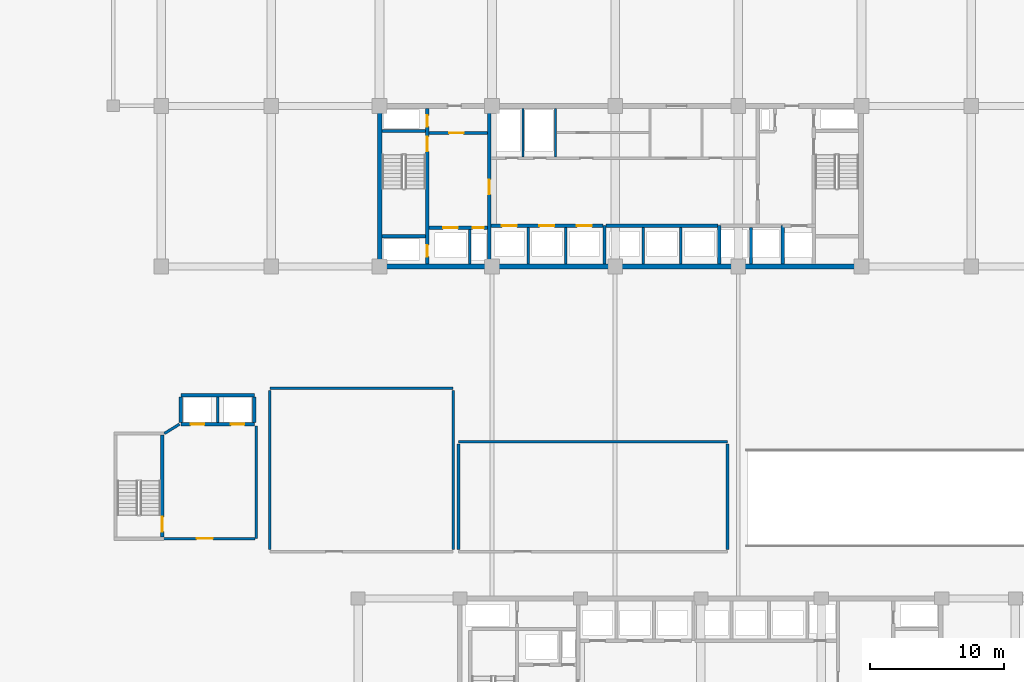
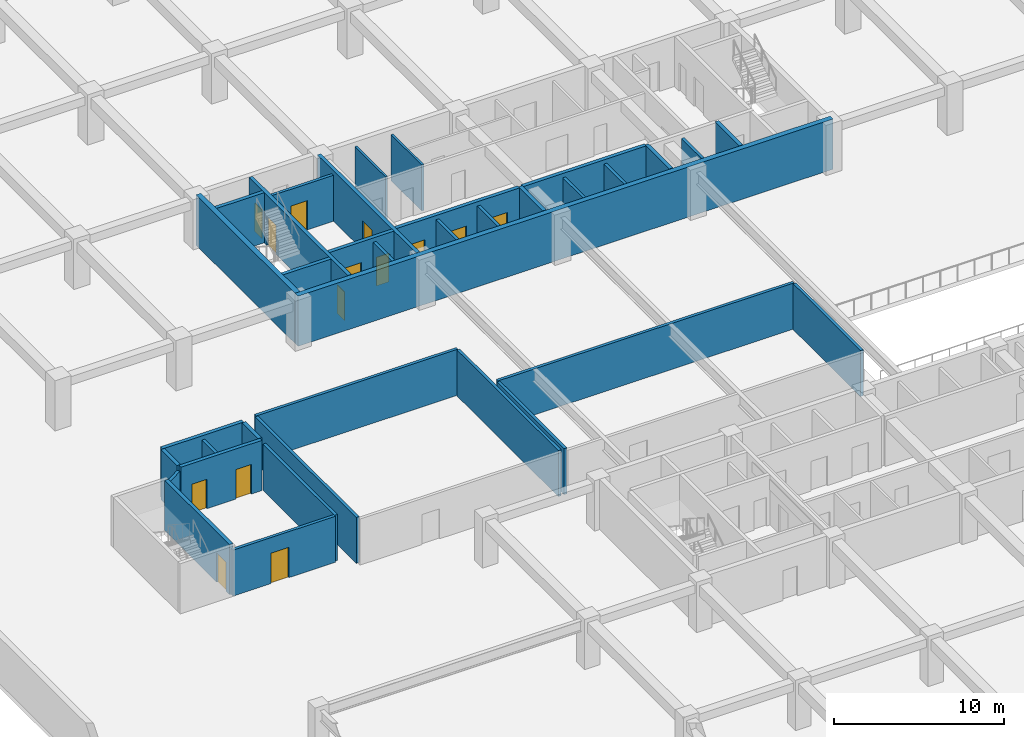
# One storey, part 9 of 23: 36 walls, 14 doors, 14 openings.
"""IFC4 building model written with IfcOpenShell, lengths in metres."""

from ifc_helpers import new_model, si_unit, direction, frame, frame_2d, origin, place, context, subcontext, project, spatial, rectangle, extrude, material, layer, layer_set, type_object, element, fill, save


model = new_model("IFC4")

# Units and contexts
model_context = context("Model", 3, precision=1e-05, world=origin(), true_north=direction((0.0, 1.0)))
body_context = subcontext(model_context, "Body", "Model", "MODEL_VIEW")
ifc_project = project(units=[si_unit("LENGTHUNIT", "METRE"), si_unit("AREAUNIT", "SQUARE_METRE"), si_unit("VOLUMEUNIT", "CUBIC_METRE"), si_unit("PLANEANGLEUNIT", "RADIAN"), si_unit("MASSUNIT", "GRAM", prefix="KILO")], contexts=[model_context])

# Site, building, storey
site_placement = place(None, origin())
site = spatial("IfcSite", under=ifc_project, at=site_placement, CompositionType="ELEMENT")
building_placement = place(site_placement, origin())
building = spatial("IfcBuilding", under=site, at=building_placement, Name="Korimba Cascade Residences", CompositionType="ELEMENT")
storey_placement = place(building_placement, frame((0.0, 0.0, -3.60009765625)))
storey = spatial("IfcBuildingStorey", under=building, at=storey_placement, Name="B01", CompositionType="ELEMENT", Elevation=-3.60009765625)

# Walls
ifc_material_1 = material(Name="Concrete C65/80", Category="concrete")
ifc_layer_1 = layer(ifc_material_1, 0.35009765625)
ifc_layer_set_1 = layer_set([ifc_layer_1], Name="Concrete C65/80")
wall_type_1 = type_object("IfcWallType", Name="WAL-CORE-350", PredefinedType="SHEAR", material=ifc_layer_set_1)
wall_1_placement = place(storey_placement, frame((75.949951171875, 55.199951171875, 0.0), z_axis=(0.0, 0.0, 1.0), x_axis=(1.0, 0.0, 0.0)))
element("IfcWall", 1, at=wall_1_placement, inside=storey, type_object=wall_type_1, Name="B01 Core Shear Wall CW-B01-T1-S", PredefinedType="SHEAR", context=body_context, shape_type="SweptSolid", body=[
    extrude(rectangle(XDim=36.300048828125, YDim=0.35009765625, at=frame_2d((18.14990234375, 0.0))), origin(), (0.0, 0.0, 1.0), 3.60009765625),
])
wall_2_placement = place(storey_placement, frame((76.125, 55.375, 0.0), z_axis=(0.0, 0.0, 1.0), x_axis=(0.0, 1.0, 0.0)))
element("IfcWall", 2, at=wall_2_placement, inside=storey, type_object=wall_type_1, Name="B01 Core Shear Wall CW-B01-T1-W", PredefinedType="SHEAR", context=body_context, shape_type="SweptSolid", body=[
    extrude(rectangle(XDim=11.64990234375, YDim=0.35009765625, at=frame_2d((5.824951171875, 0.0))), origin(), (0.0, 0.0, 1.0), 3.60009765625),
])
ifc_material_2 = material(Name="Insulated Acoustic Stud Partition", Category="gypsum")
ifc_layer_2 = layer(ifc_material_2, 0.14990234375)
ifc_layer_set_2 = layer_set([ifc_layer_2], Name="Insulated Acoustic Stud Partition")
wall_type_2 = type_object("IfcWallType", Name="WAL-PART-150", PredefinedType="PARTITIONING", material=ifc_layer_set_2)
for number, where, z_axis, x_axis, name in (
    (3, (86.800048828125, 63.39990234375, 0.0), (0.0, 0.0, 1.0), (0.0, 1.0, 0.0), "B01 Partition Wall CW-B01-T1-ERDIV"),
    (4, (89.25, 63.39990234375, 0.0), (0.0, 0.0, 1.0), (0.0, 1.0, 0.0), "B01 Partition Wall CW-B01-T1-PRDIV"),
):
    element("IfcWall", number, at=place(storey_placement, frame(where, z_axis=z_axis, x_axis=x_axis)), inside=storey, type_object=wall_type_2, Name=name, PredefinedType="PARTITIONING", context=body_context, shape_type="SweptSolid", body=[
        extrude(rectangle(XDim=3.60009765625, YDim=0.14990234375, at=frame_2d((1.800048828125, 0.0))), origin(), (0.0, 0.0, 1.0), 3.300048828125),
    ])
ifc_material_3 = material(Name="Concrete C40/50", Category="concrete")
ifc_layer_3 = layer(ifc_material_3, 0.199951171875)
ifc_layer_set_3 = layer_set([ifc_layer_3], Name="Concrete C40/50")
wall_type_3 = type_object("IfcWallType", Name="WAL-PART-200", PredefinedType="PARTITIONING", material=ifc_layer_set_3)
wall_3_placement = place(storey_placement, frame((82.85009765625, 55.39990234375, 0.0), z_axis=(0.0, 0.0, 1.0), x_axis=(0.0, 1.0, 0.0)))
element("IfcWall", 5, at=wall_3_placement, inside=storey, type_object=wall_type_3, Name="B01 Partition Wall CW-B01-T1-FFLDIV", PredefinedType="PARTITIONING", context=body_context, shape_type="SweptSolid", body=[
    extrude(rectangle(XDim=2.56005859375, YDim=0.199951171875, at=frame_2d((1.280029296875, 0.0))), origin(), (0.0, 0.0, 1.0), 3.300048828125),
])

# Wall, opening, door
wall_4_placement = place(storey_placement, frame((79.7900390625, 65.179931640625, 0.0), z_axis=(0.0, 0.0, 1.0), x_axis=(1.0, 0.0, 0.0)))
wall_4 = element("IfcWall", 6, at=wall_4_placement, inside=storey, type_object=wall_type_3, Name="B01 Partition Wall CW-B01-T1-FFLN", PredefinedType="PARTITIONING", context=body_context, shape_type="SweptSolid", body=[
    extrude(rectangle(XDim=4.389892578125, YDim=0.199951171875, at=frame_2d((2.19482421875, 0.0))), origin(), (0.0, 0.0, 1.0), 3.300048828125),
])
opening_1_placement = place(wall_4_placement, frame((1.5, 0.0, 0.0)))
opening_1 = element("IfcOpeningElement", 7, at=opening_1_placement, cuts=wall_4, Name="Opening D-FD1", PredefinedType="OPENING", context=body_context, shape_type="SweptSolid", body=[
    extrude(rectangle(XDim=1.10009765625, YDim=2.10009765625, at=frame_2d((0.550048828125, 1.050048828125))), frame((0.0, 0.10986328125, 0.0), z_axis=(0.0, -1.0, 0.0), x_axis=(1.0, 0.0, 0.0)), (0.0, 0.0, 1.0), 0.219970703125),
])
ifc_material_4 = material(Name="Fire-Rated Steel Core Door", Category="steel")
door_type_1 = type_object("IfcDoorType", Name="DR-FD120-1100", OperationType="NOTDEFINED", PredefinedType="DOOR", material=ifc_material_4)
door_1_placement = place(opening_1_placement, origin())
door_1 = element("IfcDoor", 8, at=door_1_placement, inside=storey, type_object=door_type_1, Name="B01 West Firefighting Lobby Door", OperationType="SINGLE_SWING_RIGHT", OverallHeight=2.10009765625, OverallWidth=1.10009765625, PredefinedType="DOOR", context=body_context, shape_type="SweptSolid", body=[
    extrude(rectangle(XDim=1.10009765625, YDim=2.10009765625, at=frame_2d((0.550048828125, 1.050048828125))), frame((0.0, 0.02490234375, 0.0), z_axis=(0.0, -1.0, 0.0), x_axis=(1.0, 0.0, 0.0)), (0.0, 0.0, 1.0), 0.050048828125),
])
fill(opening_1, door_1)

# Walls
for number, where, z_axis, x_axis, name in (
    (9, (87.199951171875, 55.39990234375, 0.0), (0.0, 0.0, 1.0), (0.0, 1.0, 0.0), "B01 Partition Wall CW-B01-T1-B1D1"),
    (10, (90.0, 55.39990234375, 0.0), (0.0, 0.0, 1.0), (0.0, 1.0, 0.0), "B01 Partition Wall CW-B01-T1-B1D2"),
    (11, (95.800048828125, 55.39990234375, 0.0), (0.0, 0.0, 1.0), (0.0, 1.0, 0.0), "B01 Partition Wall CW-B01-T1-B2D1"),
    (12, (98.60009765625, 55.39990234375, 0.0), (0.0, 0.0, 1.0), (0.0, 1.0, 0.0), "B01 Partition Wall CW-B01-T1-B2D2"),
    (13, (103.85009765625, 55.39990234375, 0.0), (0.0, 0.0, 1.0), (0.0, 1.0, 0.0), "B01 Partition Wall CW-B01-T1-B3D1"),
):
    element("IfcWall", number, at=place(storey_placement, frame(where, z_axis=z_axis, x_axis=x_axis)), inside=storey, type_object=wall_type_3, Name=name, PredefinedType="PARTITIONING", context=body_context, shape_type="SweptSolid", body=[
        extrude(rectangle(XDim=2.72021484375, YDim=0.199951171875, at=frame_2d((1.360107421875, 0.0))), origin(), (0.0, 0.0, 1.0), 3.300048828125),
    ])
wall_5_placement = place(storey_placement, frame((64.0, 43.550048828125, 0.0), z_axis=(0.0, 0.0, 1.0), x_axis=(0.0, 1.0, 0.0)))
element("IfcWall", 14, at=wall_5_placement, inside=storey, type_object=wall_type_3, Name="B01 Partition Wall CW-B01-SHPM", PredefinedType="PARTITIONING", context=body_context, shape_type="SweptSolid", body=[
    extrude(rectangle(XDim=1.89990234375, YDim=0.199951171875, at=frame_2d((0.949951171875, 0.0))), origin(), (0.0, 0.0, 1.0), 3.300048828125),
])

# Wall, opening, door
wall_6_placement = place(storey_placement, frame((59.840087890625, 34.875, 0.0), z_axis=(0.0, 0.0, 1.0), x_axis=(1.0, 0.0, 0.0)))
wall_6 = element("IfcWall", 15, at=wall_6_placement, inside=storey, type_object=wall_type_3, Name="B01 Partition Wall CW-B01-PLOBS", PredefinedType="PARTITIONING", context=body_context, shape_type="SweptSolid", body=[
    extrude(rectangle(XDim=6.9599609375, YDim=0.199951171875, at=frame_2d((3.47998046875, 0.0))), origin(), (0.0, 0.0, 1.0), 3.300048828125),
])
opening_2_placement = place(wall_6_placement, frame((2.60009765625, 0.0, 0.0)))
opening_2 = element("IfcOpeningElement", 16, at=opening_2_placement, cuts=wall_6, Name="Opening D-FD7", PredefinedType="OPENING", context=body_context, shape_type="SweptSolid", body=[
    extrude(rectangle(XDim=1.199951171875, YDim=2.179931640625, at=frame_2d((0.60009765625, 1.08984375))), frame((0.0, 0.10986328125, 0.0), z_axis=(0.0, -1.0, 0.0), x_axis=(1.0, 0.0, 0.0)), (0.0, 0.0, 1.0), 0.219970703125),
])
ifc_material_5 = material(Name="Fire-Rated Shuttle Lobby Door", Category="wood")
door_type_2 = type_object("IfcDoorType", Name="DR-FD90-1200", OperationType="NOTDEFINED", PredefinedType="DOOR", material=ifc_material_5)
door_2_placement = place(opening_2_placement, origin())
door_2 = element("IfcDoor", 17, at=door_2_placement, inside=storey, type_object=door_type_2, Name="B01 Shuttle Lobby Door", OperationType="SINGLE_SWING_LEFT", OverallHeight=2.179931640625, OverallWidth=1.199951171875, PredefinedType="DOOR", context=body_context, shape_type="SweptSolid", body=[
    extrude(rectangle(XDim=1.199951171875, YDim=2.179931640625, at=frame_2d((0.60009765625, 1.08984375))), frame((0.0, 0.02490234375, 0.0), z_axis=(0.0, -1.0, 0.0), x_axis=(1.0, 0.0, 0.0)), (0.0, 0.0, 1.0), 0.050048828125),
])
fill(opening_2, door_2)

# Walls
wall_7_placement = place(storey_placement, frame((66.89990234375, 34.875, 0.0), z_axis=(0.0, 0.0, 1.0), x_axis=(0.0, 1.0, 0.0)))
element("IfcWall", 18, at=wall_7_placement, inside=storey, type_object=wall_type_3, Name="B01 Partition Wall CW-B01-PLOBE", PredefinedType="PARTITIONING", context=body_context, shape_type="SweptSolid", body=[
    extrude(rectangle(XDim=8.425048828125, YDim=0.199951171875, at=frame_2d((4.21240234375, 0.0))), origin(), (0.0, 0.0, 1.0), 3.300048828125),
])
wall_8_placement = place(storey_placement, frame((60.02001953125, 42.72509765625, 0.0), z_axis=(0.0, 0.0, 1.0), x_axis=(0.851822584555, 0.523830396638, 0.0)))
element("IfcWall", 19, at=wall_8_placement, inside=storey, type_object=wall_type_3, Name="B01 Partition Wall CW-B01-PLOBN", PredefinedType="PARTITIONING", context=body_context, shape_type="SweptSolid", body=[
    extrude(rectangle(XDim=1.326416015625, YDim=0.199951171875, at=frame_2d((0.6630859375, 0.0))), origin(), (0.0, 0.0, 1.0), 3.300048828125),
])
wall_9_placement = place(storey_placement, frame((67.89990234375, 46.10009765625, 0.0), z_axis=(0.0, 0.0, 1.0), x_axis=(1.0, 0.0, 0.0)))
element("IfcWall", 20, at=wall_9_placement, inside=storey, type_object=wall_type_3, Name="B01 Partition Wall WAL-B01-PMPN", PredefinedType="PARTITIONING", context=body_context, shape_type="SweptSolid", body=[
    extrude(rectangle(XDim=13.7001953125, YDim=0.199951171875, at=frame_2d((6.85009765625, 0.0))), origin(), (0.0, 0.0, 1.0), 3.300048828125),
])
for number, where, z_axis, x_axis, name in (
    (21, (67.89990234375, 34.050048828125, 0.0), (0.0, 0.0, 1.0), (0.0, 1.0, 0.0), "B01 Partition Wall WAL-B01-PMPW"),
    (22, (81.60009765625, 34.050048828125, 0.0), (0.0, 0.0, 1.0), (0.0, 1.0, 0.0), "B01 Partition Wall WAL-B01-PMPE"),
):
    element("IfcWall", number, at=place(storey_placement, frame(where, z_axis=z_axis, x_axis=x_axis)), inside=storey, type_object=wall_type_3, Name=name, PredefinedType="PARTITIONING", context=body_context, shape_type="SweptSolid", body=[
        extrude(rectangle(XDim=11.89990234375, YDim=0.199951171875, at=frame_2d((5.949951171875, 0.0))), origin(), (0.0, 0.0, 1.0), 3.300048828125),
    ])
wall_10_placement = place(storey_placement, frame((82.0, 42.10009765625, 0.0), z_axis=(0.0, 0.0, 1.0), x_axis=(1.0, 0.0, 0.0)))
element("IfcWall", 23, at=wall_10_placement, inside=storey, type_object=wall_type_3, Name="B01 Partition Wall WAL-B01-HVSN", PredefinedType="PARTITIONING", context=body_context, shape_type="SweptSolid", body=[
    extrude(rectangle(XDim=20.10009765625, YDim=0.199951171875, at=frame_2d((10.050048828125, 0.0))), origin(), (0.0, 0.0, 1.0), 3.300048828125),
])
for number, where, z_axis, x_axis, name in (
    (24, (82.0, 34.050048828125, 0.0), (0.0, 0.0, 1.0), (0.0, 1.0, 0.0), "B01 Partition Wall WAL-B01-HVSW"),
    (25, (102.10009765625, 34.050048828125, 0.0), (0.0, 0.0, 1.0), (0.0, 1.0, 0.0), "B01 Partition Wall WAL-B01-HVSE"),
):
    element("IfcWall", number, at=place(storey_placement, frame(where, z_axis=z_axis, x_axis=x_axis)), inside=storey, type_object=wall_type_3, Name=name, PredefinedType="PARTITIONING", context=body_context, shape_type="SweptSolid", body=[
        extrude(rectangle(XDim=7.89990234375, YDim=0.199951171875, at=frame_2d((3.949951171875, 0.0))), origin(), (0.0, 0.0, 1.0), 3.300048828125),
    ])

# Wall, openings, doors
ifc_material_6 = material(Name="Concrete C50/60", Category="concrete")
ifc_layer_4 = layer(ifc_material_6, 0.25)
ifc_layer_set_4 = layer_set([ifc_layer_4], Name="Concrete C50/60")
wall_type_4 = type_object("IfcWallType", Name="WAL-SHAFT-250", PredefinedType="SHEAR", material=ifc_layer_set_4)
wall_11_placement = place(storey_placement, frame((79.6650390625, 55.39990234375, 0.0), z_axis=(0.0, 0.0, 1.0), x_axis=(0.0, 1.0, 0.0)))
wall_11 = element("IfcWall", 26, at=wall_11_placement, inside=storey, type_object=wall_type_4, Name="B01 Core Shear Wall CW-B01-T1-STW1E", PredefinedType="SHEAR", context=body_context, shape_type="SweptSolid", body=[
    extrude(rectangle(XDim=11.60009765625, YDim=0.25, at=frame_2d((5.800048828125, 0.0))), origin(), (0.0, 0.0, 1.0), 3.60009765625),
])
opening_3_placement = place(wall_11_placement, frame((0.550048828125, 0.0, 0.0)))
opening_3 = element("IfcOpeningElement", 27, at=opening_3_placement, cuts=wall_11, Name="Opening D-RS1", PredefinedType="OPENING", context=body_context, shape_type="SweptSolid", body=[
    extrude(rectangle(XDim=0.85009765625, YDim=2.050048828125, at=frame_2d((0.425048828125, 1.02490234375))), frame((0.0, 0.135009765625, 0.0), z_axis=(0.0, -1.0, 0.0), x_axis=(1.0, 0.0, 0.0)), (0.0, 0.0, 1.0), 0.27001953125),
])
opening_4_placement = place(wall_11_placement, frame((8.39990234375, 0.0, 0.0)))
opening_4 = element("IfcOpeningElement", 28, at=opening_4_placement, cuts=wall_11, Name="Opening D-FD1", PredefinedType="OPENING", context=body_context, shape_type="SweptSolid", body=[
    extrude(rectangle(XDim=1.10009765625, YDim=2.10009765625, at=frame_2d((0.550048828125, 1.050048828125))), frame((0.0, 0.135009765625, 0.0), z_axis=(0.0, -1.0, 0.0), x_axis=(1.0, 0.0, 0.0)), (0.0, 0.0, 1.0), 0.27001953125),
])
opening_5_placement = place(wall_11_placement, frame((10.25, 0.0, 0.0)))
opening_5 = element("IfcOpeningElement", 29, at=opening_5_placement, cuts=wall_11, Name="Opening D-RS1", PredefinedType="OPENING", context=body_context, shape_type="SweptSolid", body=[
    extrude(rectangle(XDim=0.85009765625, YDim=2.050048828125, at=frame_2d((0.425048828125, 1.02490234375))), frame((0.0, 0.135009765625, 0.0), z_axis=(0.0, -1.0, 0.0), x_axis=(1.0, 0.0, 0.0)), (0.0, 0.0, 1.0), 0.27001953125),
])
door_3_placement = place(opening_4_placement, origin())
door_3 = element("IfcDoor", 30, at=door_3_placement, inside=storey, type_object=door_type_1, Name="B01 Fire Stair ST-W1 Door", OperationType="SINGLE_SWING_LEFT", OverallHeight=2.10009765625, OverallWidth=1.10009765625, PredefinedType="DOOR", context=body_context, shape_type="SweptSolid", body=[
    extrude(rectangle(XDim=1.10009765625, YDim=2.10009765625, at=frame_2d((0.550048828125, 1.050048828125))), frame((0.0, 0.02490234375, 0.0), z_axis=(0.0, -1.0, 0.0), x_axis=(1.0, 0.0, 0.0)), (0.0, 0.0, 1.0), 0.050048828125),
])
fill(opening_4, door_3)
ifc_material_7 = material(Name="Fire-Rated Steel Riser Access Door", Category="steel")
door_type_3 = type_object("IfcDoorType", Name="DR-FD60-850", OperationType="NOTDEFINED", PredefinedType="DOOR", material=ifc_material_7)
door_4_placement = place(opening_3_placement, origin())
door_4 = element("IfcDoor", 31, at=door_4_placement, inside=storey, type_object=door_type_3, Name="B01 Smoke Riser Access Door", OperationType="SINGLE_SWING_RIGHT", OverallHeight=2.050048828125, OverallWidth=0.85009765625, PredefinedType="DOOR", context=body_context, shape_type="SweptSolid", body=[
    extrude(rectangle(XDim=0.85009765625, YDim=2.050048828125, at=frame_2d((0.425048828125, 1.02490234375))), frame((0.0, 0.02490234375, 0.0), z_axis=(0.0, -1.0, 0.0), x_axis=(1.0, 0.0, 0.0)), (0.0, 0.0, 1.0), 0.050048828125),
])
fill(opening_3, door_4)
door_5_placement = place(opening_5_placement, origin())
door_5 = element("IfcDoor", 32, at=door_5_placement, inside=storey, type_object=door_type_3, Name="B01 Hydrant Riser Access Door", OperationType="SINGLE_SWING_RIGHT", OverallHeight=2.050048828125, OverallWidth=0.85009765625, PredefinedType="DOOR", context=body_context, shape_type="SweptSolid", body=[
    extrude(rectangle(XDim=0.85009765625, YDim=2.050048828125, at=frame_2d((0.425048828125, 1.02490234375))), frame((0.0, 0.02490234375, 0.0), z_axis=(0.0, -1.0, 0.0), x_axis=(1.0, 0.0, 0.0)), (0.0, 0.0, 1.0), 0.050048828125),
])
fill(opening_5, door_5)

# Walls
for number, where, z_axis, x_axis, name in (
    (33, (76.300048828125, 57.47509765625, 0.0), (0.0, 0.0, 1.0), (1.0, 0.0, 0.0), "B01 Core Shear Wall CW-B01-T1-STW1S"),
    (34, (76.300048828125, 65.324951171875, 0.0), (0.0, 0.0, 1.0), (1.0, 0.0, 0.0), "B01 Core Shear Wall CW-B01-T1-STW1N"),
):
    element("IfcWall", number, at=place(storey_placement, frame(where, z_axis=z_axis, x_axis=x_axis)), inside=storey, type_object=wall_type_4, Name=name, PredefinedType="SHEAR", context=body_context, shape_type="SweptSolid", body=[
        extrude(rectangle(XDim=3.239990234375, YDim=0.25, at=frame_2d((1.6201171875, 0.0))), origin(), (0.0, 0.0, 1.0), 3.60009765625),
    ])

# Wall, openings, doors
wall_12_placement = place(storey_placement, frame((79.7900390625, 58.10009765625, 0.0), z_axis=(0.0, 0.0, 1.0), x_axis=(1.0, 0.0, 0.0)))
wall_12 = element("IfcWall", 35, at=wall_12_placement, inside=storey, type_object=wall_type_4, Name="B01 Core Shear Wall CW-B01-T1-FFLS", PredefinedType="SHEAR", context=body_context, shape_type="SweptSolid", body=[
    extrude(rectangle(XDim=4.389892578125, YDim=0.25, at=frame_2d((2.19482421875, 0.0))), origin(), (0.0, 0.0, 1.0), 3.60009765625),
])
opening_6_placement = place(wall_12_placement, frame((1.050048828125, 0.0, 0.0)))
opening_6 = element("IfcOpeningElement", 36, at=opening_6_placement, cuts=wall_12, Name="Opening LD-01", PredefinedType="OPENING", context=body_context, shape_type="SweptSolid", body=[
    extrude(rectangle(XDim=1.1201171875, YDim=2.1201171875, at=frame_2d((0.56005859375, 1.06005859375))), frame((0.0, 0.135009765625, 0.0), z_axis=(0.0, -1.0, 0.0), x_axis=(1.0, 0.0, 0.0)), (0.0, 0.0, 1.0), 0.27001953125),
])
opening_7_placement = place(wall_12_placement, frame((3.260009765625, 0.0, 0.0)))
opening_7 = element("IfcOpeningElement", 37, at=opening_7_placement, cuts=wall_12, Name="Opening D-RS1", PredefinedType="OPENING", context=body_context, shape_type="SweptSolid", body=[
    extrude(rectangle(XDim=0.85009765625, YDim=2.050048828125, at=frame_2d((0.425048828125, 1.02490234375))), frame((0.0, 0.135009765625, 0.0), z_axis=(0.0, -1.0, 0.0), x_axis=(1.0, 0.0, 0.0)), (0.0, 0.0, 1.0), 0.27001953125),
])
door_6_placement = place(opening_7_placement, origin())
door_6 = element("IfcDoor", 38, at=door_6_placement, inside=storey, type_object=door_type_3, Name="B01 Pressurisation Riser Door", OperationType="SINGLE_SWING_LEFT", OverallHeight=2.050048828125, OverallWidth=0.85009765625, PredefinedType="DOOR", context=body_context, shape_type="SweptSolid", body=[
    extrude(rectangle(XDim=0.85009765625, YDim=2.050048828125, at=frame_2d((0.425048828125, 1.02490234375))), frame((0.0, 0.02490234375, 0.0), z_axis=(0.0, -1.0, 0.0), x_axis=(1.0, 0.0, 0.0)), (0.0, 0.0, 1.0), 0.050048828125),
])
fill(opening_7, door_6)
ifc_material_8 = material(Name="Stainless Steel Lift Landing Sliding Door", Category="steel")
door_type_4 = type_object("IfcDoorType", Name="DR-LIFT-1100", OperationType="NOTDEFINED", PredefinedType="DOOR", material=ifc_material_8)
door_7_placement = place(opening_6_placement, origin())
door_7 = element("IfcDoor", 39, at=door_7_placement, inside=storey, type_object=door_type_4, Name="B01 Firefighting Lift Landing Door FFL-W1", OperationType="SLIDING_TO_LEFT", OverallHeight=2.1201171875, OverallWidth=1.1201171875, PredefinedType="DOOR", context=body_context, shape_type="SweptSolid", body=[
    extrude(rectangle(XDim=1.1201171875, YDim=2.1201171875, at=frame_2d((0.56005859375, 1.06005859375))), frame((0.0, 0.02490234375, 0.0), z_axis=(0.0, -1.0, 0.0), x_axis=(1.0, 0.0, 0.0)), (0.0, 0.0, 1.0), 0.050048828125),
])
fill(opening_6, door_7)

# Wall, opening, door
wall_13_placement = place(storey_placement, frame((84.300048828125, 55.39990234375, 0.0), z_axis=(0.0, 0.0, 1.0), x_axis=(0.0, 1.0, 0.0)))
wall_13 = element("IfcWall", 40, at=wall_13_placement, inside=storey, type_object=wall_type_4, Name="B01 Core Shear Wall CW-B01-T1-FFLE", PredefinedType="SHEAR", context=body_context, shape_type="SweptSolid", body=[
    extrude(rectangle(XDim=11.60009765625, YDim=0.25, at=frame_2d((5.800048828125, 0.0))), origin(), (0.0, 0.0, 1.0), 3.60009765625),
])
opening_8_placement = place(wall_13_placement, frame((5.199951171875, 0.0, 0.0)))
opening_8 = element("IfcOpeningElement", 41, at=opening_8_placement, cuts=wall_13, Name="Opening D-FD1", PredefinedType="OPENING", context=body_context, shape_type="SweptSolid", body=[
    extrude(rectangle(XDim=1.10009765625, YDim=2.10009765625, at=frame_2d((0.550048828125, 1.050048828125))), frame((0.0, 0.135009765625, 0.0), z_axis=(0.0, -1.0, 0.0), x_axis=(1.0, 0.0, 0.0)), (0.0, 0.0, 1.0), 0.27001953125),
])
door_8_placement = place(opening_8_placement, origin())
door_8 = element("IfcDoor", 42, at=door_8_placement, inside=storey, type_object=door_type_1, Name="B01 Firefighting Lobby to Lift Lobby Door", OperationType="SINGLE_SWING_LEFT", OverallHeight=2.10009765625, OverallWidth=1.10009765625, PredefinedType="DOOR", context=body_context, shape_type="SweptSolid", body=[
    extrude(rectangle(XDim=1.10009765625, YDim=2.10009765625, at=frame_2d((0.550048828125, 1.050048828125))), frame((0.0, 0.02490234375, 0.0), z_axis=(0.0, -1.0, 0.0), x_axis=(1.0, 0.0, 0.0)), (0.0, 0.0, 1.0), 0.050048828125),
])
fill(opening_8, door_8)

# Wall, openings, doors
wall_14_placement = place(storey_placement, frame((84.419921875, 58.25, 0.0), z_axis=(0.0, 0.0, 1.0), x_axis=(1.0, 0.0, 0.0)))
wall_14 = element("IfcWall", 43, at=wall_14_placement, inside=storey, type_object=wall_type_4, Name="B01 Core Shear Wall CW-B01-T1-B1N", PredefinedType="SHEAR", context=body_context, shape_type="SweptSolid", body=[
    extrude(rectangle(XDim=8.360107421875, YDim=0.25, at=frame_2d((4.18017578125, 0.0))), origin(), (0.0, 0.0, 1.0), 3.60009765625),
])
opening_9_placement = place(wall_14_placement, frame((0.820068359375, 0.0, 0.0)))
opening_9 = element("IfcOpeningElement", 44, at=opening_9_placement, cuts=wall_14, Name="Opening LD-01", PredefinedType="OPENING", context=body_context, shape_type="SweptSolid", body=[
    extrude(rectangle(XDim=1.1201171875, YDim=2.1201171875, at=frame_2d((0.56005859375, 1.06005859375))), frame((0.0, 0.135009765625, 0.0), z_axis=(0.0, -1.0, 0.0), x_axis=(1.0, 0.0, 0.0)), (0.0, 0.0, 1.0), 0.27001953125),
])
opening_10_placement = place(wall_14_placement, frame((3.6201171875, 0.0, 0.0)))
opening_10 = element("IfcOpeningElement", 45, at=opening_10_placement, cuts=wall_14, Name="Opening LD-01", PredefinedType="OPENING", context=body_context, shape_type="SweptSolid", body=[
    extrude(rectangle(XDim=1.1201171875, YDim=2.1201171875, at=frame_2d((0.56005859375, 1.06005859375))), frame((0.0, 0.135009765625, 0.0), z_axis=(0.0, -1.0, 0.0), x_axis=(1.0, 0.0, 0.0)), (0.0, 0.0, 1.0), 0.27001953125),
])
opening_11_placement = place(wall_14_placement, frame((6.419921875, 0.0, 0.0)))
opening_11 = element("IfcOpeningElement", 46, at=opening_11_placement, cuts=wall_14, Name="Opening LD-01", PredefinedType="OPENING", context=body_context, shape_type="SweptSolid", body=[
    extrude(rectangle(XDim=1.1201171875, YDim=2.1201171875, at=frame_2d((0.56005859375, 1.06005859375))), frame((0.0, 0.135009765625, 0.0), z_axis=(0.0, -1.0, 0.0), x_axis=(1.0, 0.0, 0.0)), (0.0, 0.0, 1.0), 0.27001953125),
])
door_9_placement = place(opening_9_placement, origin())
door_9 = element("IfcDoor", 47, at=door_9_placement, inside=storey, type_object=door_type_4, Name="B01 Lift Landing Door PL-W1", OperationType="SLIDING_TO_LEFT", OverallHeight=2.1201171875, OverallWidth=1.1201171875, PredefinedType="DOOR", context=body_context, shape_type="SweptSolid", body=[
    extrude(rectangle(XDim=1.1201171875, YDim=2.1201171875, at=frame_2d((0.56005859375, 1.06005859375))), frame((0.0, 0.02490234375, 0.0), z_axis=(0.0, -1.0, 0.0), x_axis=(1.0, 0.0, 0.0)), (0.0, 0.0, 1.0), 0.050048828125),
])
fill(opening_9, door_9)
door_10_placement = place(opening_10_placement, origin())
door_10 = element("IfcDoor", 48, at=door_10_placement, inside=storey, type_object=door_type_4, Name="B01 Lift Landing Door PL-W2", OperationType="SLIDING_TO_LEFT", OverallHeight=2.1201171875, OverallWidth=1.1201171875, PredefinedType="DOOR", context=body_context, shape_type="SweptSolid", body=[
    extrude(rectangle(XDim=1.1201171875, YDim=2.1201171875, at=frame_2d((0.56005859375, 1.06005859375))), frame((0.0, 0.02490234375, 0.0), z_axis=(0.0, -1.0, 0.0), x_axis=(1.0, 0.0, 0.0)), (0.0, 0.0, 1.0), 0.050048828125),
])
fill(opening_10, door_10)
door_11_placement = place(opening_11_placement, origin())
door_11 = element("IfcDoor", 49, at=door_11_placement, inside=storey, type_object=door_type_4, Name="B01 Lift Landing Door PL-W3", OperationType="SLIDING_TO_LEFT", OverallHeight=2.1201171875, OverallWidth=1.1201171875, PredefinedType="DOOR", context=body_context, shape_type="SweptSolid", body=[
    extrude(rectangle(XDim=1.1201171875, YDim=2.1201171875, at=frame_2d((0.56005859375, 1.06005859375))), frame((0.0, 0.02490234375, 0.0), z_axis=(0.0, -1.0, 0.0), x_axis=(1.0, 0.0, 0.0)), (0.0, 0.0, 1.0), 0.050048828125),
])
fill(opening_11, door_11)

# Walls
wall_15_placement = place(storey_placement, frame((92.89990234375, 55.39990234375, 0.0), z_axis=(0.0, 0.0, 1.0), x_axis=(0.0, 1.0, 0.0)))
element("IfcWall", 50, at=wall_15_placement, inside=storey, type_object=wall_type_4, Name="B01 Core Shear Wall CW-B01-T1-B12DIV", PredefinedType="SHEAR", context=body_context, shape_type="SweptSolid", body=[
    extrude(rectangle(XDim=2.85009765625, YDim=0.25, at=frame_2d((1.425048828125, 0.0))), origin(), (0.0, 0.0, 1.0), 3.60009765625),
])
wall_16_placement = place(storey_placement, frame((93.02001953125, 58.25, 0.0), z_axis=(0.0, 0.0, 1.0), x_axis=(1.0, 0.0, 0.0)))
element("IfcWall", 51, at=wall_16_placement, inside=storey, type_object=wall_type_4, Name="B01 Core Shear Wall CW-B01-T1-B2N", PredefinedType="SHEAR", context=body_context, shape_type="SweptSolid", body=[
    extrude(rectangle(XDim=8.35986328125, YDim=0.25, at=frame_2d((4.179931640625, 0.0))), origin(), (0.0, 0.0, 1.0), 3.60009765625),
])
for number, where, z_axis, x_axis, name in (
    (52, (101.47998046875, 55.39990234375, 0.0), (0.0, 0.0, 1.0), (0.0, 1.0, 0.0), "B01 Core Shear Wall CW-B01-T1-B23DIV"),
    (53, (106.219970703125, 55.39990234375, 0.0), (0.0, 0.0, 1.0), (0.0, 1.0, 0.0), "B01 Core Shear Wall CW-B01-T1-FF2W"),
):
    element("IfcWall", number, at=place(storey_placement, frame(where, z_axis=z_axis, x_axis=x_axis)), inside=storey, type_object=wall_type_4, Name=name, PredefinedType="SHEAR", context=body_context, shape_type="SweptSolid", body=[
        extrude(rectangle(XDim=2.85009765625, YDim=0.25, at=frame_2d((1.425048828125, 0.0))), origin(), (0.0, 0.0, 1.0), 3.60009765625),
    ])

# Wall, opening, door
wall_17_placement = place(storey_placement, frame((59.864990234375, 35.0, 0.0), z_axis=(0.0, 0.0, 1.0), x_axis=(0.0, 1.0, 0.0)))
wall_17 = element("IfcWall", 54, at=wall_17_placement, inside=storey, type_object=wall_type_4, Name="B01 Core Shear Wall CW-B01-STP1E", PredefinedType="SHEAR", context=body_context, shape_type="SweptSolid", body=[
    extrude(rectangle(XDim=7.60009765625, YDim=0.25, at=frame_2d((3.800048828125, 0.0))), origin(), (0.0, 0.0, 1.0), 3.60009765625),
])
opening_12_placement = place(wall_17_placement, frame((0.39990234375, 0.0, 0.0)))
opening_12 = element("IfcOpeningElement", 55, at=opening_12_placement, cuts=wall_17, Name="Opening D-FD1", PredefinedType="OPENING", context=body_context, shape_type="SweptSolid", body=[
    extrude(rectangle(XDim=1.10009765625, YDim=2.10009765625, at=frame_2d((0.550048828125, 1.050048828125))), frame((0.0, 0.135009765625, 0.0), z_axis=(0.0, -1.0, 0.0), x_axis=(1.0, 0.0, 0.0)), (0.0, 0.0, 1.0), 0.27001953125),
])
door_12_placement = place(opening_12_placement, origin())
door_12 = element("IfcDoor", 56, at=door_12_placement, inside=storey, type_object=door_type_1, Name="B01 Podium Stair ST-P1 Door", OperationType="SINGLE_SWING_RIGHT", OverallHeight=2.10009765625, OverallWidth=1.10009765625, PredefinedType="DOOR", context=body_context, shape_type="SweptSolid", body=[
    extrude(rectangle(XDim=1.10009765625, YDim=2.10009765625, at=frame_2d((0.550048828125, 1.050048828125))), frame((0.0, 0.02490234375, 0.0), z_axis=(0.0, -1.0, 0.0), x_axis=(1.0, 0.0, 0.0)), (0.0, 0.0, 1.0), 0.050048828125),
])
fill(opening_12, door_12)

# Wall, openings, doors
wall_18_placement = place(storey_placement, frame((61.25, 43.419921875, 0.0), z_axis=(0.0, 0.0, 1.0), x_axis=(1.0, 0.0, 0.0)))
wall_18 = element("IfcWall", 57, at=wall_18_placement, inside=storey, type_object=wall_type_4, Name="B01 Core Shear Wall CW-B01-SHPS", PredefinedType="SHEAR", context=body_context, shape_type="SweptSolid", body=[
    extrude(rectangle(XDim=5.5, YDim=0.25, at=frame_2d((2.75, 0.0))), origin(), (0.0, 0.0, 1.0), 3.60009765625),
])
opening_13_placement = place(wall_18_placement, frame((0.739990234375, 0.0, 0.0)))
opening_13 = element("IfcOpeningElement", 58, at=opening_13_placement, cuts=wall_18, Name="Opening LD-02", PredefinedType="OPENING", context=body_context, shape_type="SweptSolid", body=[
    extrude(rectangle(XDim=1.02001953125, YDim=2.1201171875, at=frame_2d((0.510009765625, 1.06005859375))), frame((0.0, 0.135009765625, 0.0), z_axis=(0.0, -1.0, 0.0), x_axis=(1.0, 0.0, 0.0)), (0.0, 0.0, 1.0), 0.27001953125),
])
opening_14_placement = place(wall_18_placement, frame((3.739990234375, 0.0, 0.0)))
opening_14 = element("IfcOpeningElement", 59, at=opening_14_placement, cuts=wall_18, Name="Opening LD-02", PredefinedType="OPENING", context=body_context, shape_type="SweptSolid", body=[
    extrude(rectangle(XDim=1.02001953125, YDim=2.1201171875, at=frame_2d((0.510009765625, 1.06005859375))), frame((0.0, 0.135009765625, 0.0), z_axis=(0.0, -1.0, 0.0), x_axis=(1.0, 0.0, 0.0)), (0.0, 0.0, 1.0), 0.27001953125),
])
ifc_material_9 = material(Name="Stainless Steel Shuttle Lift Landing Door", Category="steel")
door_type_5 = type_object("IfcDoorType", Name="DR-LIFT-1000", OperationType="NOTDEFINED", PredefinedType="DOOR", material=ifc_material_9)
door_13_placement = place(opening_13_placement, origin())
door_13 = element("IfcDoor", 60, at=door_13_placement, inside=storey, type_object=door_type_5, Name="B01 Shuttle Lift Landing Door PL-P1", OperationType="SLIDING_TO_LEFT", OverallHeight=2.1201171875, OverallWidth=1.02001953125, PredefinedType="DOOR", context=body_context, shape_type="SweptSolid", body=[
    extrude(rectangle(XDim=1.02001953125, YDim=2.1201171875, at=frame_2d((0.510009765625, 1.06005859375))), frame((0.0, 0.02490234375, 0.0), z_axis=(0.0, -1.0, 0.0), x_axis=(1.0, 0.0, 0.0)), (0.0, 0.0, 1.0), 0.050048828125),
])
fill(opening_13, door_13)
door_14_placement = place(opening_14_placement, origin())
door_14 = element("IfcDoor", 61, at=door_14_placement, inside=storey, type_object=door_type_5, Name="B01 Shuttle Lift Landing Door PL-P2", OperationType="SLIDING_TO_RIGHT", OverallHeight=2.1201171875, OverallWidth=1.02001953125, PredefinedType="DOOR", context=body_context, shape_type="SweptSolid", body=[
    extrude(rectangle(XDim=1.02001953125, YDim=2.1201171875, at=frame_2d((0.510009765625, 1.06005859375))), frame((0.0, 0.02490234375, 0.0), z_axis=(0.0, -1.0, 0.0), x_axis=(1.0, 0.0, 0.0)), (0.0, 0.0, 1.0), 0.050048828125),
])
fill(opening_14, door_14)

# Walls
wall_19_placement = place(storey_placement, frame((61.25, 45.580078125, 0.0), z_axis=(0.0, 0.0, 1.0), x_axis=(1.0, 0.0, 0.0)))
element("IfcWall", 62, at=wall_19_placement, inside=storey, type_object=wall_type_4, Name="B01 Core Shear Wall CW-B01-SHPN", PredefinedType="SHEAR", context=body_context, shape_type="SweptSolid", body=[
    extrude(rectangle(XDim=5.5, YDim=0.25, at=frame_2d((2.75, 0.0))), origin(), (0.0, 0.0, 1.0), 3.60009765625),
])
for number, where, z_axis, x_axis, name in (
    (63, (61.25, 43.550048828125, 0.0), (0.0, 0.0, 1.0), (0.0, 1.0, 0.0), "B01 Core Shear Wall CW-B01-SHPW"),
    (64, (66.75, 43.550048828125, 0.0), (0.0, 0.0, 1.0), (0.0, 1.0, 0.0), "B01 Core Shear Wall CW-B01-SHPE"),
):
    element("IfcWall", number, at=place(storey_placement, frame(where, z_axis=z_axis, x_axis=x_axis)), inside=storey, type_object=wall_type_4, Name=name, PredefinedType="SHEAR", context=body_context, shape_type="SweptSolid", body=[
        extrude(rectangle(XDim=1.89990234375, YDim=0.25, at=frame_2d((0.949951171875, 0.0))), origin(), (0.0, 0.0, 1.0), 3.60009765625),
    ])

save(model, "model.ifc")
